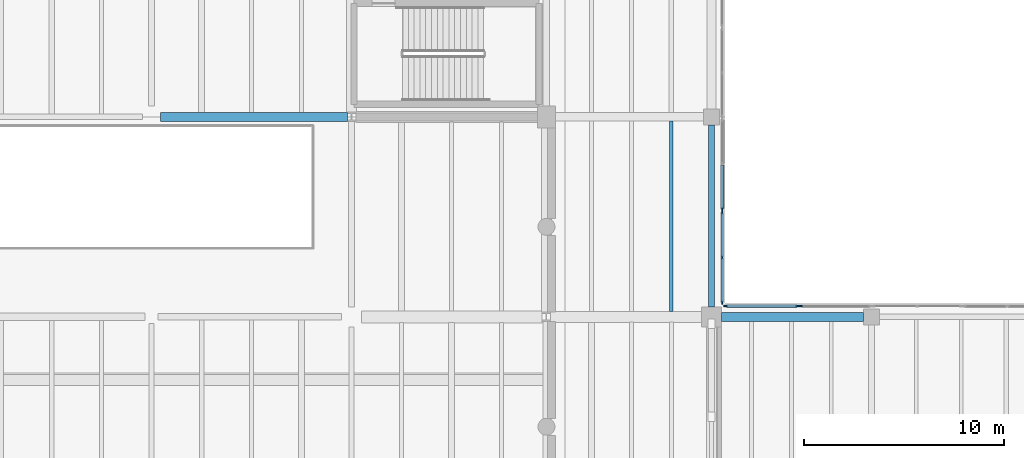
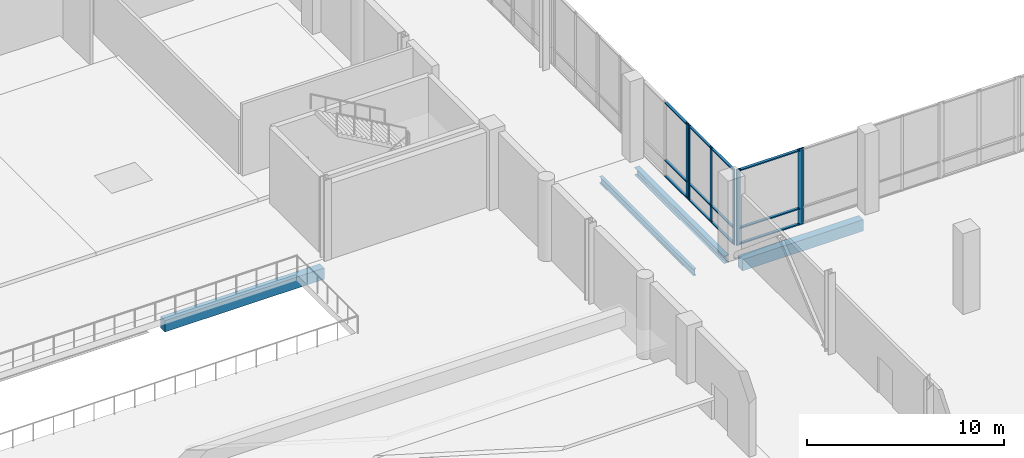
# One storey, part 45 of 88: 19 members, 4 beams, 4 elements without a shape of their own.
"""IFC4 building model written with IfcOpenShell, lengths in metres."""

from ifc_helpers import new_model, si_unit, direction, frame, origin, origin_2d, place, context, subcontext, project, spatial, rectangle, i_section, extrude, material, material_profile, profile_set, type_object, element, aggregate, save


model = new_model("IFC4")

# Units and contexts
model_context = context("Model", 3, precision=1e-05, world=origin(), true_north=direction((0.0, 1.0)))
body_context = subcontext(model_context, "Body", "Model", "MODEL_VIEW")
ifc_project = project(units=[si_unit("LENGTHUNIT", "METRE"), si_unit("AREAUNIT", "SQUARE_METRE"), si_unit("VOLUMEUNIT", "CUBIC_METRE"), si_unit("PLANEANGLEUNIT", "RADIAN"), si_unit("MASSUNIT", "GRAM", prefix="KILO")], contexts=[model_context])

# Site, building, storey
site_placement = place(None, origin())
site = spatial("IfcSite", under=ifc_project, at=site_placement, CompositionType="ELEMENT")
building_placement = place(site_placement, origin())
building = spatial("IfcBuilding", under=site, at=building_placement, Name="Trimount Lyric Opera House", CompositionType="ELEMENT")
storey_placement = place(building_placement, origin())
storey = spatial("IfcBuildingStorey", under=building, at=storey_placement, Name="L00", CompositionType="ELEMENT", Elevation=0.0)

# Beam
ifc_material_1 = material(Name="Steel ASTM A992 Grade 50", Category="steel")
ifc_material_profile_1 = material_profile(ifc_material_1, i_section(OverallWidth=0.177978515625, OverallDepth=0.404052734375, WebThickness=0.007568359375, FlangeThickness=0.010986328125, FilletRadius=0.010009765625, at=origin_2d()), Name="W16X36")
ifc_profile_set_1 = profile_set([ifc_material_profile_1], Name="Steel ASTM A992 Grade 50")
beam_type_1 = type_object("IfcBeamType", Name="J-06", PredefinedType="BEAM", material=ifc_profile_set_1)
beam_1_placement = place(storey_placement, frame((120.0, 74.27099609375, -0.58203125), z_axis=(0.0, 1.0, 0.0), x_axis=(-1.0, 0.0, 0.0)))
element("IfcBeam", 1, at=beam_1_placement, inside=storey, type_object=beam_type_1, Name="L00 composite floor joist 0362", PredefinedType="BEAM", context=body_context, shape_type="SweptSolid", body=[
    extrude(i_section(OverallWidth=0.177978515625, OverallDepth=0.404052734375, WebThickness=0.007568359375, FlangeThickness=0.010986328125, FilletRadius=0.010009765625, at=origin_2d()), origin(), (0.0, 0.0, 1.0), 9.5234375),
])

# Curtain wall, members
ifc_material_2 = material(Name="Thermally Broken Aluminium and Low-E Glass", Category="aluminium")
curtain_wall_type = type_object("IfcCurtainWallType", Name="CW-03", PredefinedType="NOTDEFINED", material=ifc_material_2)
curtain_wall_1_placement = place(storey_placement, origin())
curtain_wall_1 = element("IfcCurtainWall", 2, at=curtain_wall_1_placement, inside=storey, type_object=curtain_wall_type, Name="L00 curtain wall 036", PredefinedType="NOTDEFINED")
ifc_material_3 = material(Name="Anodised Aluminium 6063-T6", Category="aluminium")
ifc_material_profile_2 = material_profile(ifc_material_3, rectangle(XDim=0.070068359375, YDim=0.219970703125, at=origin_2d()), Name="ALU-MULL-70X220")
ifc_profile_set_2 = profile_set([ifc_material_profile_2], Name="Anodised Aluminium 6063-T6")
member_type_1 = type_object("IfcMemberType", Name="ML-01", PredefinedType="MULLION", material=ifc_profile_set_2)
member_1_placement = place(storey_placement, frame((122.715087890625, 74.5400390625, 0.0), z_axis=(0.0, 0.0, 1.0), x_axis=(0.0, 1.0, 0.0)))
member_1 = element("IfcMember", 3, at=member_1_placement, type_object=member_type_1, Name="CW-03 mullion 1", PredefinedType="MULLION", context=body_context, shape_type="SweptSolid", body=[
    extrude(rectangle(XDim=0.070068359375, YDim=0.219970703125, at=origin_2d()), origin(), (0.0, 0.0, 1.0), 4.719970703125),
])
member_2_placement = place(storey_placement, frame((126.304931640625, 74.5400390625, 0.0), z_axis=(0.0, 0.0, 1.0), x_axis=(0.0, 1.0, 0.0)))
member_2 = element("IfcMember", 4, at=member_2_placement, type_object=member_type_1, Name="CW-03 mullion 2", PredefinedType="MULLION", context=body_context, shape_type="SweptSolid", body=[
    extrude(rectangle(XDim=0.070068359375, YDim=0.219970703125, at=origin_2d()), origin(), (0.0, 0.0, 1.0), 4.719970703125),
])

# Curtain wall, member
curtain_wall_2_placement = place(storey_placement, origin())
curtain_wall_2 = element("IfcCurtainWall", 5, at=curtain_wall_2_placement, inside=storey, type_object=curtain_wall_type, Name="L00 curtain wall 057", PredefinedType="NOTDEFINED")
member_3_placement = place(storey_placement, frame((122.5400390625, 79.375, 0.0), z_axis=(0.0, 0.0, 1.0), x_axis=(1.0, 0.0, 0.0)))
member_3 = element("IfcMember", 6, at=member_3_placement, type_object=member_type_1, Name="CW-03 mullion 3", PredefinedType="MULLION", context=body_context, shape_type="SweptSolid", body=[
    extrude(rectangle(XDim=0.070068359375, YDim=0.219970703125, at=origin_2d()), origin(), (0.0, 0.0, 1.0), 4.68994140625),
])

curtain_wall_3_placement = place(storey_placement, origin())
curtain_wall_3 = element("IfcCurtainWall", 7, at=curtain_wall_3_placement, inside=storey, type_object=curtain_wall_type, Name="L00 curtain wall 037", PredefinedType="NOTDEFINED")
ifc_material_4 = material(Name="Anodised Aluminium 6063-T6", Category="aluminium")
ifc_material_profile_3 = material_profile(ifc_material_4, rectangle(XDim=0.06494140625, YDim=0.179931640625, at=origin_2d()), Name="ALU-MULL-65X180")
ifc_profile_set_3 = profile_set([ifc_material_profile_3], Name="Anodised Aluminium 6063-T6")
member_type_2 = type_object("IfcMemberType", Name="ML-02", PredefinedType="MULLION", material=ifc_profile_set_3)
member_4_placement = place(storey_placement, frame((126.46240234375, 74.5400390625, 0.0), z_axis=(0.0, 0.0, 1.0), x_axis=(0.0, 1.0, 0.0)))
member_4 = element("IfcMember", 8, at=member_4_placement, type_object=member_type_2, Name="CW-03 mullion 1", PredefinedType="MULLION", context=body_context, shape_type="SweptSolid", body=[
    extrude(rectangle(XDim=0.06494140625, YDim=0.179931640625, at=origin_2d()), origin(), (0.0, 0.0, 1.0), 4.719970703125),
])
aggregate(curtain_wall_3, [member_4])

# Curtain wall, members
curtain_wall_4_placement = place(storey_placement, origin())
curtain_wall_4 = element("IfcCurtainWall", 9, at=curtain_wall_4_placement, inside=storey, type_object=curtain_wall_type, Name="L00 curtain wall 058", PredefinedType="NOTDEFINED")
member_5_placement = place(storey_placement, frame((122.5400390625, 79.217529296875, 0.0), z_axis=(0.0, 0.0, 1.0), x_axis=(1.0, 0.0, 0.0)))
member_5 = element("IfcMember", 10, at=member_5_placement, type_object=member_type_2, Name="CW-03 mullion 1", PredefinedType="MULLION", context=body_context, shape_type="SweptSolid", body=[
    extrude(rectangle(XDim=0.06494140625, YDim=0.179931640625, at=origin_2d()), origin(), (0.0, 0.0, 1.0), 4.68994140625),
])
member_6_placement = place(storey_placement, frame((122.5400390625, 76.965087890625, 0.0), z_axis=(0.0, 0.0, 1.0), x_axis=(1.0, 0.0, 0.0)))
member_6 = element("IfcMember", 11, at=member_6_placement, type_object=member_type_2, Name="CW-03 mullion 2", PredefinedType="MULLION", context=body_context, shape_type="SweptSolid", body=[
    extrude(rectangle(XDim=0.06494140625, YDim=0.179931640625, at=origin_2d()), origin(), (0.0, 0.0, 1.0), 4.68994140625),
])
member_7_placement = place(storey_placement, frame((122.5400390625, 74.71240234375, 0.0), z_axis=(0.0, 0.0, 1.0), x_axis=(1.0, 0.0, 0.0)))
member_7 = element("IfcMember", 12, at=member_7_placement, type_object=member_type_2, Name="CW-03 mullion 3", PredefinedType="MULLION", context=body_context, shape_type="SweptSolid", body=[
    extrude(rectangle(XDim=0.06494140625, YDim=0.179931640625, at=origin_2d()), origin(), (0.0, 0.0, 1.0), 4.68994140625),
])

# Beams
ifc_material_5 = material(Name="Steel ASTM A992 Grade 50", Category="steel")
ifc_material_profile_4 = material_profile(ifc_material_5, i_section(OverallWidth=0.281982421875, OverallDepth=0.467041015625, WebThickness=0.01220703125, FlangeThickness=0.01953125, FilletRadius=0.012939453125, at=origin_2d()), Name="W18X86")
ifc_profile_set_4 = profile_set([ifc_material_profile_4], Name="Steel ASTM A992 Grade 50")
beam_type_2 = type_object("IfcBeamType", Name="SP-01", PredefinedType="SPANDREL", material=ifc_profile_set_4)
beam_2_placement = place(storey_placement, frame((122.0, 74.5, -0.613525390625), z_axis=(0.0, 1.0, 0.0), x_axis=(-1.0, 0.0, 0.0)))
element("IfcBeam", 13, at=beam_2_placement, inside=storey, type_object=beam_type_2, Name="L00 girder Y-0389", PredefinedType="SPANDREL", context=body_context, shape_type="SweptSolid", body=[
    extrude(i_section(OverallWidth=0.281982421875, OverallDepth=0.467041015625, WebThickness=0.01220703125, FlangeThickness=0.01953125, FilletRadius=0.012939453125, at=origin_2d()), origin(), (0.0, 0.0, 1.0), 9.10009765625),
])
ifc_material_6 = material(Name="Concrete C40/50", Category="concrete")
ifc_material_profile_5 = material_profile(ifc_material_6, rectangle(XDim=0.449951171875, YDim=0.699951171875, at=origin_2d()), Name="RC450X700")
ifc_profile_set_5 = profile_set([ifc_material_profile_5], Name="Concrete C40/50")
beam_type_3 = type_object("IfcBeamType", Name="SP-02", PredefinedType="SPANDREL", material=ifc_profile_set_5)
beam_3_placement = place(storey_placement, frame((122.5, 74.0, -0.72998046875), z_axis=(1.0, 0.0, 0.0), x_axis=(0.0, 1.0, 0.0)))
element("IfcBeam", 14, at=beam_3_placement, inside=storey, type_object=beam_type_3, Name="L00 girder X-0154", PredefinedType="SPANDREL", context=body_context, shape_type="SweptSolid", body=[
    extrude(rectangle(XDim=0.449951171875, YDim=0.699951171875, at=origin_2d()), origin(), (0.0, 0.0, 1.0), 7.10009765625),
])
beam_4_placement = place(storey_placement, frame((94.449951171875, 84.0, -0.75), z_axis=(1.0, 0.0, 0.0), x_axis=(0.0, 1.0, 0.0)))
element("IfcBeam", 15, at=beam_4_placement, inside=storey, type_object=beam_type_3, Name="L00 girder X-0167", PredefinedType="SPANDREL", context=body_context, shape_type="SweptSolid", body=[
    extrude(rectangle(XDim=0.449951171875, YDim=0.699951171875, at=origin_2d()), origin(), (0.0, 0.0, 1.0), 9.339111328125),
])

# Member
ifc_material_7 = material(Name="Anodised Aluminium 6063-T6", Category="aluminium")
ifc_material_profile_6 = material_profile(ifc_material_7, rectangle(XDim=0.159912109375, YDim=0.070068359375, at=origin_2d()), Name="ALU-TRAN-70X160")
ifc_profile_set_6 = profile_set([ifc_material_profile_6], Name="Anodised Aluminium 6063-T6")
member_type_3 = type_object("IfcMemberType", Name="TR-01", PredefinedType="USERDEFINED", material=ifc_profile_set_6)
member_8_placement = place(storey_placement, frame((122.75, 74.5400390625, 0.080078125), z_axis=(1.0, 0.0, 0.0), x_axis=(0.0, 1.0, 0.0)))
member_8 = element("IfcMember", 16, at=member_8_placement, type_object=member_type_3, Name="CW-03 transom 1.1", ObjectType="TRANSOM", PredefinedType="USERDEFINED", context=body_context, shape_type="SweptSolid", body=[
    extrude(rectangle(XDim=0.159912109375, YDim=0.070068359375, at=origin_2d()), origin(), (0.0, 0.0, 1.0), 3.52001953125),
])

member_9_placement = place(storey_placement, frame((122.75, 74.5400390625, 1.050048828125), z_axis=(1.0, 0.0, 0.0), x_axis=(0.0, 1.0, 0.0)))
member_9 = element("IfcMember", 17, at=member_9_placement, type_object=member_type_3, Name="CW-03 transom 1.2", ObjectType="TRANSOM", PredefinedType="USERDEFINED", context=body_context, shape_type="SweptSolid", body=[
    extrude(rectangle(XDim=0.159912109375, YDim=0.070068359375, at=origin_2d()), origin(), (0.0, 0.0, 1.0), 3.52001953125),
])

member_10_placement = place(storey_placement, frame((122.75, 74.5400390625, 4.639892578125), z_axis=(1.0, 0.0, 0.0), x_axis=(0.0, 1.0, 0.0)))
member_10 = element("IfcMember", 18, at=member_10_placement, type_object=member_type_3, Name="CW-03 transom 1.3", ObjectType="TRANSOM", PredefinedType="USERDEFINED", context=body_context, shape_type="SweptSolid", body=[
    extrude(rectangle(XDim=0.159912109375, YDim=0.070068359375, at=origin_2d()), origin(), (0.0, 0.0, 1.0), 3.52001953125),
])

aggregate(curtain_wall_1, [member_1, member_2, member_8, member_9, member_10])

member_11_placement = place(storey_placement, frame((122.5400390625, 81.590087890625, 0.080078125), z_axis=(0.0, -1.0, 0.0), x_axis=(1.0, 0.0, 0.0)))
member_11 = element("IfcMember", 19, at=member_11_placement, type_object=member_type_3, Name="CW-03 transom 2.1", ObjectType="TRANSOM", PredefinedType="USERDEFINED", context=body_context, shape_type="SweptSolid", body=[
    extrude(rectangle(XDim=0.159912109375, YDim=0.070068359375, at=origin_2d()), origin(), (0.0, 0.0, 1.0), 2.18017578125),
])

member_12_placement = place(storey_placement, frame((122.5400390625, 81.590087890625, 1.050048828125), z_axis=(0.0, -1.0, 0.0), x_axis=(1.0, 0.0, 0.0)))
member_12 = element("IfcMember", 20, at=member_12_placement, type_object=member_type_3, Name="CW-03 transom 2.2", ObjectType="TRANSOM", PredefinedType="USERDEFINED", context=body_context, shape_type="SweptSolid", body=[
    extrude(rectangle(XDim=0.159912109375, YDim=0.070068359375, at=origin_2d()), origin(), (0.0, 0.0, 1.0), 2.18017578125),
])

member_13_placement = place(storey_placement, frame((122.5400390625, 81.590087890625, 4.610107421875), z_axis=(0.0, -1.0, 0.0), x_axis=(1.0, 0.0, 0.0)))
member_13 = element("IfcMember", 21, at=member_13_placement, type_object=member_type_3, Name="CW-03 transom 2.3", ObjectType="TRANSOM", PredefinedType="USERDEFINED", context=body_context, shape_type="SweptSolid", body=[
    extrude(rectangle(XDim=0.159912109375, YDim=0.070068359375, at=origin_2d()), origin(), (0.0, 0.0, 1.0), 2.18017578125),
])

aggregate(curtain_wall_2, [member_3, member_11, member_12, member_13])

ifc_material_8 = material(Name="Anodised Aluminium 6063-T6", Category="aluminium")
ifc_material_profile_7 = material_profile(ifc_material_8, rectangle(XDim=0.135009765625, YDim=0.06494140625, at=origin_2d()), Name="ALU-TRAN-65X135")
ifc_profile_set_7 = profile_set([ifc_material_profile_7], Name="Anodised Aluminium 6063-T6")
member_type_4 = type_object("IfcMemberType", Name="TR-02", PredefinedType="USERDEFINED", material=ifc_profile_set_7)
member_14_placement = place(storey_placement, frame((122.5400390625, 79.18505859375, 0.0673828125), z_axis=(0.0, -1.0, 0.0), x_axis=(1.0, 0.0, 0.0)))
member_14 = element("IfcMember", 22, at=member_14_placement, type_object=member_type_4, Name="CW-03 transom 1.1", ObjectType="TRANSOM", PredefinedType="USERDEFINED", context=body_context, shape_type="SweptSolid", body=[
    extrude(rectangle(XDim=0.135009765625, YDim=0.06494140625, at=origin_2d()), origin(), (0.0, 0.0, 1.0), 2.1875),
])

member_15_placement = place(storey_placement, frame((122.5400390625, 79.18505859375, 1.050048828125), z_axis=(0.0, -1.0, 0.0), x_axis=(1.0, 0.0, 0.0)))
member_15 = element("IfcMember", 23, at=member_15_placement, type_object=member_type_4, Name="CW-03 transom 1.2", ObjectType="TRANSOM", PredefinedType="USERDEFINED", context=body_context, shape_type="SweptSolid", body=[
    extrude(rectangle(XDim=0.135009765625, YDim=0.06494140625, at=origin_2d()), origin(), (0.0, 0.0, 1.0), 2.1875),
])

member_16_placement = place(storey_placement, frame((122.5400390625, 79.18505859375, 4.62255859375), z_axis=(0.0, -1.0, 0.0), x_axis=(1.0, 0.0, 0.0)))
member_16 = element("IfcMember", 24, at=member_16_placement, type_object=member_type_4, Name="CW-03 transom 1.3", ObjectType="TRANSOM", PredefinedType="USERDEFINED", context=body_context, shape_type="SweptSolid", body=[
    extrude(rectangle(XDim=0.135009765625, YDim=0.06494140625, at=origin_2d()), origin(), (0.0, 0.0, 1.0), 2.1875),
])

member_17_placement = place(storey_placement, frame((122.5400390625, 76.9326171875, 0.0673828125), z_axis=(0.0, -1.0, 0.0), x_axis=(1.0, 0.0, 0.0)))
member_17 = element("IfcMember", 25, at=member_17_placement, type_object=member_type_4, Name="CW-03 transom 2.1", ObjectType="TRANSOM", PredefinedType="USERDEFINED", context=body_context, shape_type="SweptSolid", body=[
    extrude(rectangle(XDim=0.135009765625, YDim=0.06494140625, at=origin_2d()), origin(), (0.0, 0.0, 1.0), 2.1875),
])

member_18_placement = place(storey_placement, frame((122.5400390625, 76.9326171875, 1.050048828125), z_axis=(0.0, -1.0, 0.0), x_axis=(1.0, 0.0, 0.0)))
member_18 = element("IfcMember", 26, at=member_18_placement, type_object=member_type_4, Name="CW-03 transom 2.2", ObjectType="TRANSOM", PredefinedType="USERDEFINED", context=body_context, shape_type="SweptSolid", body=[
    extrude(rectangle(XDim=0.135009765625, YDim=0.06494140625, at=origin_2d()), origin(), (0.0, 0.0, 1.0), 2.1875),
])

member_19_placement = place(storey_placement, frame((122.5400390625, 76.9326171875, 4.62255859375), z_axis=(0.0, -1.0, 0.0), x_axis=(1.0, 0.0, 0.0)))
member_19 = element("IfcMember", 27, at=member_19_placement, type_object=member_type_4, Name="CW-03 transom 2.3", ObjectType="TRANSOM", PredefinedType="USERDEFINED", context=body_context, shape_type="SweptSolid", body=[
    extrude(rectangle(XDim=0.135009765625, YDim=0.06494140625, at=origin_2d()), origin(), (0.0, 0.0, 1.0), 2.1875),
])

aggregate(curtain_wall_4, [member_5, member_6, member_7, member_14, member_15, member_16, member_17, member_18, member_19])

save(model, "model.ifc")
